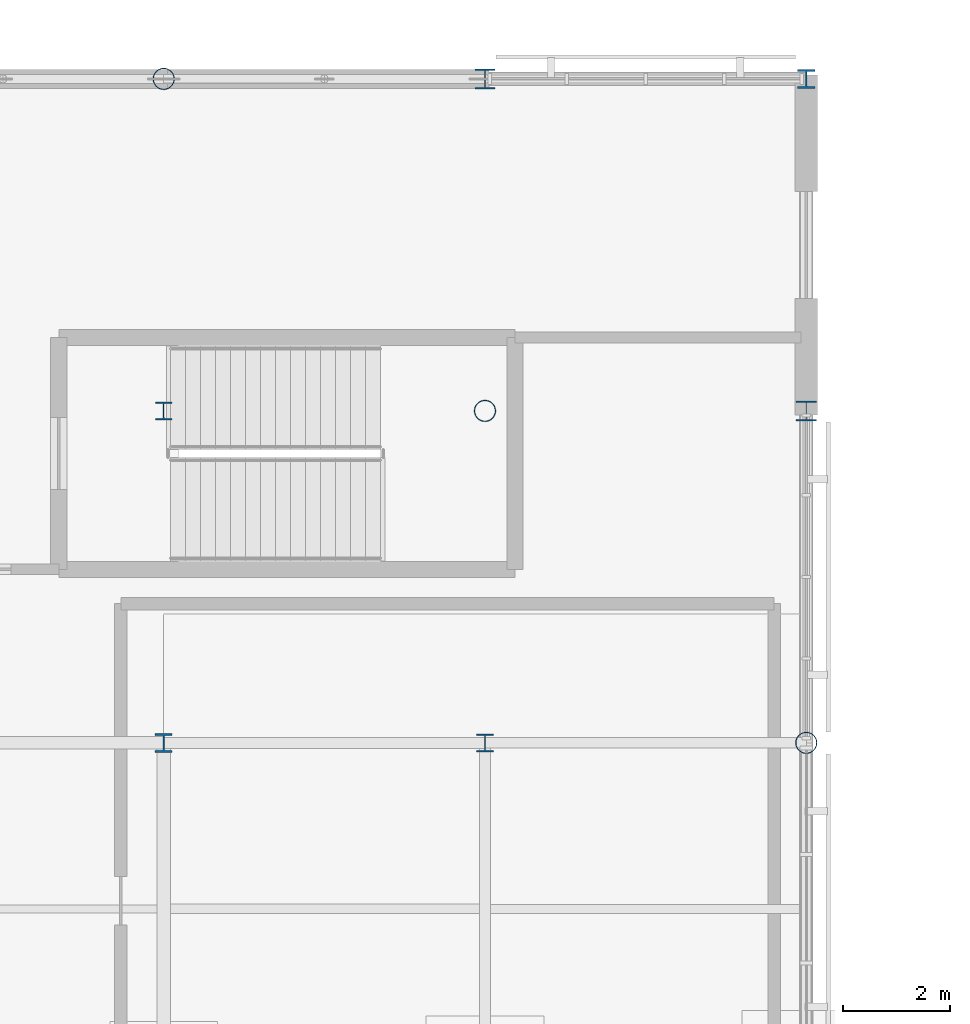
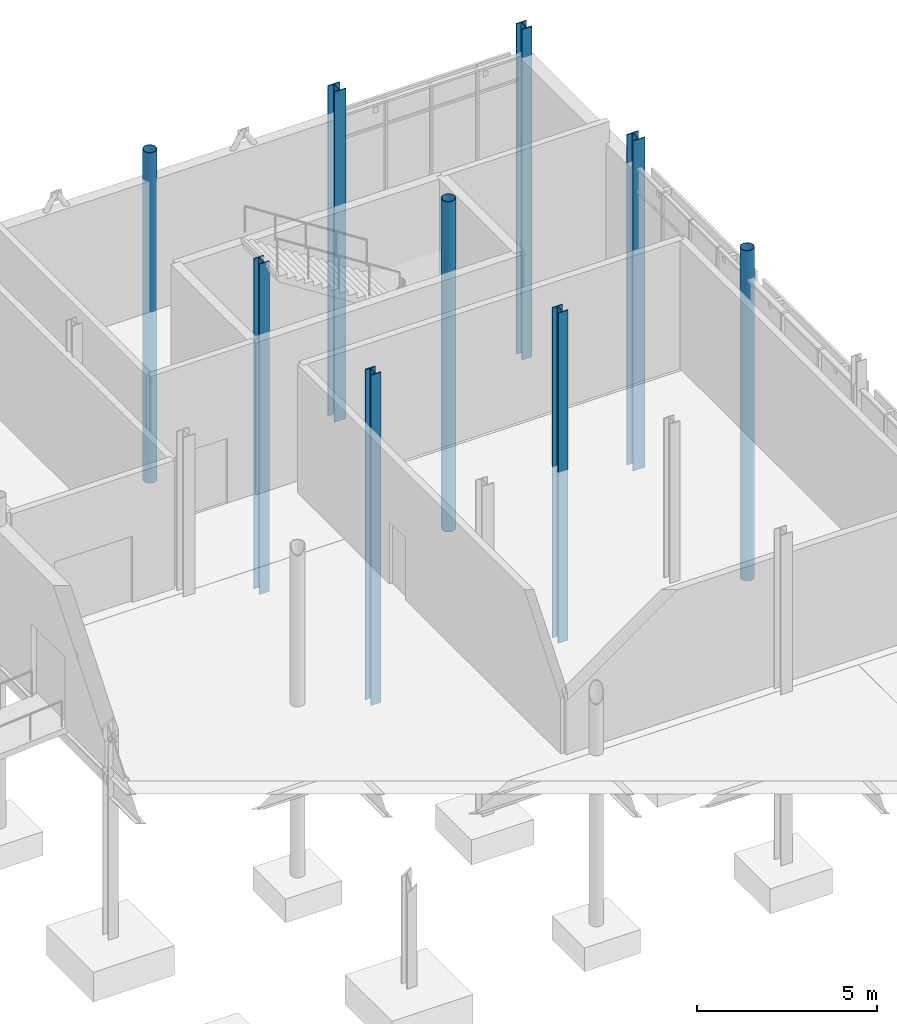
# One storey, part 27 of 98: 9 columns.
"""IFC4 building model written with IfcOpenShell, lengths in metres."""

from ifc_helpers import new_model, si_unit, direction, frame, origin, origin_2d, place, context, subcontext, project, spatial, hollow_circle, i_section, extrude, material, material_profile, profile_set, type_object, element, save


model = new_model("IFC4")

# Units and contexts
model_context = context("Model", 3, precision=1e-05, world=origin(), true_north=direction((0.0, 1.0)))
body_context = subcontext(model_context, "Body", "Model", "MODEL_VIEW")
ifc_project = project(units=[si_unit("LENGTHUNIT", "METRE"), si_unit("AREAUNIT", "SQUARE_METRE"), si_unit("VOLUMEUNIT", "CUBIC_METRE"), si_unit("PLANEANGLEUNIT", "RADIAN"), si_unit("MASSUNIT", "GRAM", prefix="KILO")], contexts=[model_context])

# Site, building, storey
site_placement = place(None, origin())
site = spatial("IfcSite", under=ifc_project, at=site_placement, CompositionType="ELEMENT")
building_placement = place(site_placement, origin())
building = spatial("IfcBuilding", under=site, at=building_placement, Name="Mirzam Square Science Centre", CompositionType="ELEMENT")
storey_placement = place(building_placement, origin())
storey = spatial("IfcBuildingStorey", under=building, at=storey_placement, Name="L00", CompositionType="ELEMENT", Elevation=0.0)

# Columns
ifc_material = material(Name="Steel S355", Category="steel")
ifc_material_profile_1 = material_profile(ifc_material, hollow_circle(Radius=0.203125, WallThickness=0.01611328125, at=origin_2d()), Name="406.4x16.0CHS")
ifc_profile_set_1 = profile_set([ifc_material_profile_1], Name="Steel S355")
column_type_1 = type_object("IfcColumnType", Name="COL-CHS406", PredefinedType="COLUMN", material=ifc_profile_set_1)
for number, where, z_axis, x_axis, name in (
    (1, (126.0, 111.60009765625, -5.800048828125), (0.0, 0.0, 1.0), (1.0, 0.0, 0.0), "L00 column G22-19"),
    (2, (132.0, 105.39990234375, -5.800048828125), (0.0, 0.0, 1.0), (1.0, 0.0, 0.0), "L00 column G23-18"),
    (3, (138.0, 99.199951171875, -5.800048828125), (0.0, 0.0, 1.0), (1.0, 0.0, 0.0), "L00 column G24-17"),
):
    element("IfcColumn", number, at=place(storey_placement, frame(where, z_axis=z_axis, x_axis=x_axis)), inside=storey, type_object=column_type_1, Name=name, PredefinedType="COLUMN", context=body_context, shape_type="SweptSolid", body=[
        extrude(hollow_circle(Radius=0.203125, WallThickness=0.01611328125, at=origin_2d()), origin(), (0.0, 0.0, 1.0), 11.199951171875),
    ])
ifc_material_profile_2 = material_profile(ifc_material, i_section(OverallWidth=0.314453125, OverallDepth=0.33984375, WebThickness=0.01904296875, FlangeThickness=0.031494140625, FilletRadius=0.01513671875, at=origin_2d()), Name="305x305x198UC")
ifc_profile_set_2 = profile_set([ifc_material_profile_2], Name="Steel S355")
column_type_2 = type_object("IfcColumnType", Name="COL-UC305B", PredefinedType="COLUMN", material=ifc_profile_set_2)
for number, where, z_axis, x_axis, name in (
    (4, (126.0, 105.39990234375, -5.800048828125), (0.0, 0.0, 1.0), (1.0, 0.0, 0.0), "L00 column G22-18"),
    (5, (132.0, 99.199951171875, -5.800048828125), (0.0, 0.0, 1.0), (1.0, 0.0, 0.0), "L00 column G23-17"),
):
    element("IfcColumn", number, at=place(storey_placement, frame(where, z_axis=z_axis, x_axis=x_axis)), inside=storey, type_object=column_type_2, Name=name, PredefinedType="COLUMN", context=body_context, shape_type="SweptSolid", body=[
        extrude(i_section(OverallWidth=0.314453125, OverallDepth=0.33984375, WebThickness=0.01904296875, FlangeThickness=0.031494140625, FilletRadius=0.01513671875, at=origin_2d()), origin(), (0.0, 0.0, 1.0), 11.199951171875),
    ])
ifc_material_profile_3 = material_profile(ifc_material, i_section(OverallWidth=0.318359375, OverallDepth=0.3525390625, WebThickness=0.02294921875, FlangeThickness=0.03759765625, FilletRadius=0.01513671875, at=origin_2d()), Name="305x305x240UC")
ifc_profile_set_3 = profile_set([ifc_material_profile_3], Name="Steel S355")
column_type_3 = type_object("IfcColumnType", Name="COL-UC305C", PredefinedType="COLUMN", material=ifc_profile_set_3)
for number, where, z_axis, x_axis, name in (
    (6, (126.0, 99.199951171875, -5.800048828125), (0.0, 0.0, 1.0), (1.0, 0.0, 0.0), "L00 column G22-17"),
    (7, (138.0, 111.60009765625, -5.800048828125), (0.0, 0.0, 1.0), (1.0, 0.0, 0.0), "L00 column G24-19"),
):
    element("IfcColumn", number, at=place(storey_placement, frame(where, z_axis=z_axis, x_axis=x_axis)), inside=storey, type_object=column_type_3, Name=name, PredefinedType="COLUMN", context=body_context, shape_type="SweptSolid", body=[
        extrude(i_section(OverallWidth=0.318359375, OverallDepth=0.3525390625, WebThickness=0.02294921875, FlangeThickness=0.03759765625, FilletRadius=0.01513671875, at=origin_2d()), origin(), (0.0, 0.0, 1.0), 11.199951171875),
    ])
ifc_material_profile_4 = material_profile(ifc_material, i_section(OverallWidth=0.374755859375, OverallDepth=0.37451171875, WebThickness=0.0166015625, FlangeThickness=0.027099609375, FilletRadius=0.01513671875, at=origin_2d()), Name="356x368x202UC")
ifc_profile_set_4 = profile_set([ifc_material_profile_4], Name="Steel S355")
column_type_4 = type_object("IfcColumnType", Name="COL-UC356A", PredefinedType="COLUMN", material=ifc_profile_set_4)
for number, where, z_axis, x_axis, name in (
    (8, (132.0, 111.60009765625, -5.800048828125), (0.0, 0.0, 1.0), (1.0, 0.0, 0.0), "L00 column G23-19"),
    (9, (138.0, 105.39990234375, -5.800048828125), (0.0, 0.0, 1.0), (1.0, 0.0, 0.0), "L00 column G24-18"),
):
    element("IfcColumn", number, at=place(storey_placement, frame(where, z_axis=z_axis, x_axis=x_axis)), inside=storey, type_object=column_type_4, Name=name, PredefinedType="COLUMN", context=body_context, shape_type="SweptSolid", body=[
        extrude(i_section(OverallWidth=0.374755859375, OverallDepth=0.37451171875, WebThickness=0.0166015625, FlangeThickness=0.027099609375, FilletRadius=0.01513671875, at=origin_2d()), origin(), (0.0, 0.0, 1.0), 11.199951171875),
    ])

save(model, "model.ifc")
